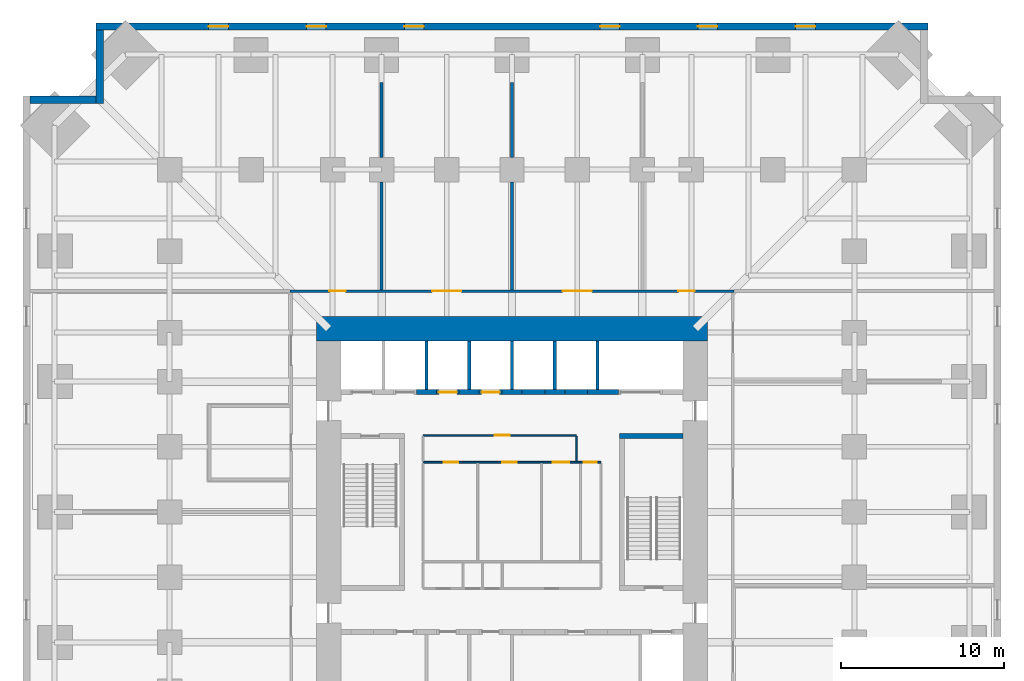
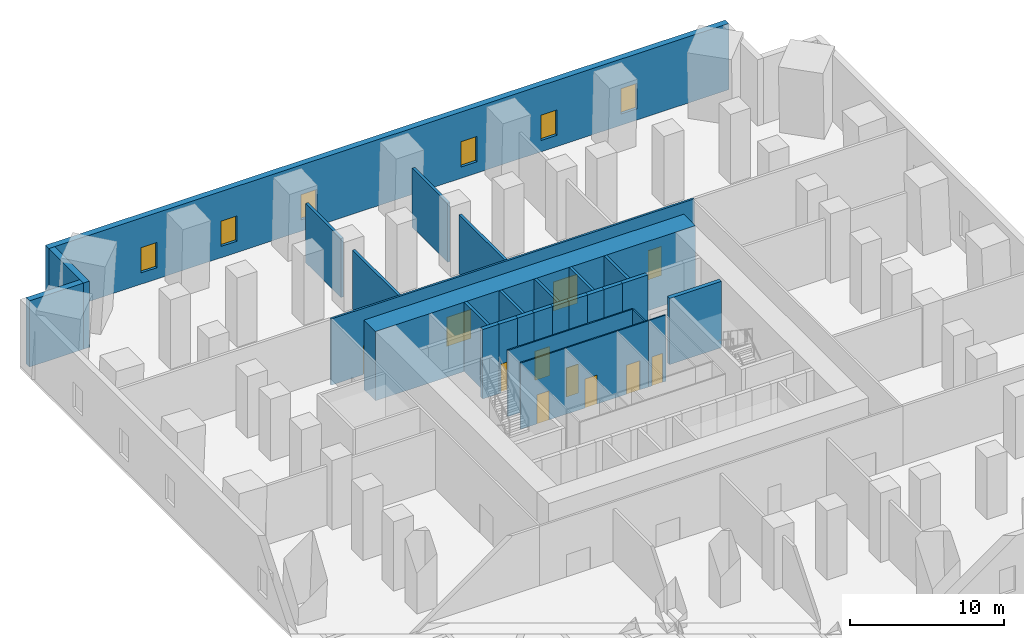
# One storey, part 6 of 8: 28 walls, 11 doors, 6 windows, 17 openings.
"""IFC4 building model written with IfcOpenShell, lengths in metres."""

from ifc_helpers import new_model, si_unit, direction, frame, frame_2d, origin, place, context, subcontext, project, spatial, rectangle, extrude, material, layer, layer_set, type_object, element, fill, save


model = new_model("IFC4")

# Units and contexts
model_context = context("Model", 3, precision=1e-05, world=origin(), true_north=direction((0.0, 1.0)))
body_context = subcontext(model_context, "Body", "Model", "MODEL_VIEW")
ifc_project = project(units=[si_unit("LENGTHUNIT", "METRE"), si_unit("AREAUNIT", "SQUARE_METRE"), si_unit("VOLUMEUNIT", "CUBIC_METRE"), si_unit("PLANEANGLEUNIT", "RADIAN"), si_unit("MASSUNIT", "GRAM", prefix="KILO")], contexts=[model_context])

# Site, building, storey
site_placement = place(None, origin())
site = spatial("IfcSite", under=ifc_project, at=site_placement, CompositionType="ELEMENT")
building_placement = place(site_placement, origin())
building = spatial("IfcBuilding", under=site, at=building_placement, Name="Peilmerk Tower", CompositionType="ELEMENT")
storey_placement = place(building_placement, frame((0.0, 0.0, 70.5)))
storey = spatial("IfcBuildingStorey", under=building, at=storey_placement, Name="L13", CompositionType="ELEMENT", Elevation=70.5)

# Wall, openings, windows
ifc_material_1 = material(Name="Precast concrete C45/55, board-marked finish", Category="concrete")
ifc_layer_1 = layer(ifc_material_1, 0.449951171875)
ifc_layer_set_1 = layer_set([ifc_layer_1], Name="Precast concrete C45/55, board-marked finish")
wall_type_1 = type_object("IfcWallType", Name="EW1 450 precast concrete facade wall, board-marked", PredefinedType="SOLIDWALL", material=ifc_layer_set_1)
wall_1_placement = place(storey_placement, frame((25.5, 29.77490234375, 0.0), z_axis=(0.0, 0.0, 1.0), x_axis=(-1.0, 0.0, 0.0)))
wall_1 = element("IfcWall", 1, at=wall_1_placement, inside=storey, type_object=wall_type_1, Name="Facade wall N L13", PredefinedType="SOLIDWALL", context=body_context, shape_type="SweptSolid", body=[
    extrude(rectangle(XDim=51.0, YDim=0.449951171875, at=frame_2d((25.5, 0.0))), origin(), (0.0, 0.0, 1.0), 5.25),
])
opening_1_placement = place(wall_1_placement, frame((6.89990234375, 0.0, 0.89990234375)))
opening_1 = element("IfcOpeningElement", 2, at=opening_1_placement, cuts=wall_1, Name="Opening W2", PredefinedType="OPENING", context=body_context, shape_type="SweptSolid", body=[
    extrude(rectangle(XDim=1.199951171875, YDim=2.0, at=frame_2d((0.60009765625, 1.0))), frame((0.0, 0.23486328125, 0.0), z_axis=(0.0, -1.0, 0.0), x_axis=(1.0, 0.0, 0.0)), (0.0, 0.0, 1.0), 0.469970703125),
])
opening_2_placement = place(wall_1_placement, frame((12.89990234375, 0.0, 0.89990234375)))
opening_2 = element("IfcOpeningElement", 3, at=opening_2_placement, cuts=wall_1, Name="Opening W2", PredefinedType="OPENING", context=body_context, shape_type="SweptSolid", body=[
    extrude(rectangle(XDim=1.199951171875, YDim=2.0, at=frame_2d((0.60009765625, 1.0))), frame((0.0, 0.23486328125, 0.0), z_axis=(0.0, -1.0, 0.0), x_axis=(1.0, 0.0, 0.0)), (0.0, 0.0, 1.0), 0.469970703125),
])
opening_3_placement = place(wall_1_placement, frame((18.89990234375, 0.0, 0.89990234375)))
opening_3 = element("IfcOpeningElement", 4, at=opening_3_placement, cuts=wall_1, Name="Opening W2", PredefinedType="OPENING", context=body_context, shape_type="SweptSolid", body=[
    extrude(rectangle(XDim=1.199951171875, YDim=2.0, at=frame_2d((0.60009765625, 1.0))), frame((0.0, 0.23486328125, 0.0), z_axis=(0.0, -1.0, 0.0), x_axis=(1.0, 0.0, 0.0)), (0.0, 0.0, 1.0), 0.469970703125),
])
opening_4_placement = place(wall_1_placement, frame((30.89990234375, 0.0, 0.89990234375)))
opening_4 = element("IfcOpeningElement", 5, at=opening_4_placement, cuts=wall_1, Name="Opening W2", PredefinedType="OPENING", context=body_context, shape_type="SweptSolid", body=[
    extrude(rectangle(XDim=1.199951171875, YDim=2.0, at=frame_2d((0.60009765625, 1.0))), frame((0.0, 0.23486328125, 0.0), z_axis=(0.0, -1.0, 0.0), x_axis=(1.0, 0.0, 0.0)), (0.0, 0.0, 1.0), 0.469970703125),
])
opening_5_placement = place(wall_1_placement, frame((36.89990234375, 0.0, 0.89990234375)))
opening_5 = element("IfcOpeningElement", 6, at=opening_5_placement, cuts=wall_1, Name="Opening W2", PredefinedType="OPENING", context=body_context, shape_type="SweptSolid", body=[
    extrude(rectangle(XDim=1.199951171875, YDim=2.0, at=frame_2d((0.60009765625, 1.0))), frame((0.0, 0.23486328125, 0.0), z_axis=(0.0, -1.0, 0.0), x_axis=(1.0, 0.0, 0.0)), (0.0, 0.0, 1.0), 0.469970703125),
])
opening_6_placement = place(wall_1_placement, frame((42.89990234375, 0.0, 0.89990234375)))
opening_6 = element("IfcOpeningElement", 7, at=opening_6_placement, cuts=wall_1, Name="Opening W2", PredefinedType="OPENING", context=body_context, shape_type="SweptSolid", body=[
    extrude(rectangle(XDim=1.199951171875, YDim=2.0, at=frame_2d((0.60009765625, 1.0))), frame((0.0, 0.23486328125, 0.0), z_axis=(0.0, -1.0, 0.0), x_axis=(1.0, 0.0, 0.0)), (0.0, 0.0, 1.0), 0.469970703125),
])
ifc_material_2 = material(Name="Aluminium frame, clear double glazing", Category="aluminium")
window_type = type_object("IfcWindowType", Name="W2 1200x2000 data hall slot window", PartitioningType="SINGLE_PANEL", PredefinedType="WINDOW", material=ifc_material_2)
window_1_placement = place(opening_1_placement, origin())
window_1 = element("IfcWindow", 8, at=window_1_placement, inside=storey, type_object=window_type, Name="Window W2 L13", OverallHeight=2.0, OverallWidth=1.199951171875, PartitioningType="SINGLE_PANEL", PredefinedType="WINDOW", context=body_context, shape_type="SweptSolid", body=[
    extrude(rectangle(XDim=1.199951171875, YDim=2.0, at=frame_2d((0.60009765625, 1.0))), frame((0.0, 0.030029296875, 0.0), z_axis=(0.0, -1.0, 0.0), x_axis=(1.0, 0.0, 0.0)), (0.0, 0.0, 1.0), 0.06005859375),
])
fill(opening_1, window_1)
window_2_placement = place(opening_2_placement, origin())
window_2 = element("IfcWindow", 9, at=window_2_placement, inside=storey, type_object=window_type, Name="Window W2 L13", OverallHeight=2.0, OverallWidth=1.199951171875, PartitioningType="SINGLE_PANEL", PredefinedType="WINDOW", context=body_context, shape_type="SweptSolid", body=[
    extrude(rectangle(XDim=1.199951171875, YDim=2.0, at=frame_2d((0.60009765625, 1.0))), frame((0.0, 0.030029296875, 0.0), z_axis=(0.0, -1.0, 0.0), x_axis=(1.0, 0.0, 0.0)), (0.0, 0.0, 1.0), 0.06005859375),
])
fill(opening_2, window_2)
window_3_placement = place(opening_3_placement, origin())
window_3 = element("IfcWindow", 10, at=window_3_placement, inside=storey, type_object=window_type, Name="Window W2 L13", OverallHeight=2.0, OverallWidth=1.199951171875, PartitioningType="SINGLE_PANEL", PredefinedType="WINDOW", context=body_context, shape_type="SweptSolid", body=[
    extrude(rectangle(XDim=1.199951171875, YDim=2.0, at=frame_2d((0.60009765625, 1.0))), frame((0.0, 0.030029296875, 0.0), z_axis=(0.0, -1.0, 0.0), x_axis=(1.0, 0.0, 0.0)), (0.0, 0.0, 1.0), 0.06005859375),
])
fill(opening_3, window_3)
window_4_placement = place(opening_4_placement, origin())
window_4 = element("IfcWindow", 11, at=window_4_placement, inside=storey, type_object=window_type, Name="Window W2 L13", OverallHeight=2.0, OverallWidth=1.199951171875, PartitioningType="SINGLE_PANEL", PredefinedType="WINDOW", context=body_context, shape_type="SweptSolid", body=[
    extrude(rectangle(XDim=1.199951171875, YDim=2.0, at=frame_2d((0.60009765625, 1.0))), frame((0.0, 0.030029296875, 0.0), z_axis=(0.0, -1.0, 0.0), x_axis=(1.0, 0.0, 0.0)), (0.0, 0.0, 1.0), 0.06005859375),
])
fill(opening_4, window_4)
window_5_placement = place(opening_5_placement, origin())
window_5 = element("IfcWindow", 12, at=window_5_placement, inside=storey, type_object=window_type, Name="Window W2 L13", OverallHeight=2.0, OverallWidth=1.199951171875, PartitioningType="SINGLE_PANEL", PredefinedType="WINDOW", context=body_context, shape_type="SweptSolid", body=[
    extrude(rectangle(XDim=1.199951171875, YDim=2.0, at=frame_2d((0.60009765625, 1.0))), frame((0.0, 0.030029296875, 0.0), z_axis=(0.0, -1.0, 0.0), x_axis=(1.0, 0.0, 0.0)), (0.0, 0.0, 1.0), 0.06005859375),
])
fill(opening_5, window_5)
window_6_placement = place(opening_6_placement, origin())
window_6 = element("IfcWindow", 13, at=window_6_placement, inside=storey, type_object=window_type, Name="Window W2 L13", OverallHeight=2.0, OverallWidth=1.199951171875, PartitioningType="SINGLE_PANEL", PredefinedType="WINDOW", context=body_context, shape_type="SweptSolid", body=[
    extrude(rectangle(XDim=1.199951171875, YDim=2.0, at=frame_2d((0.60009765625, 1.0))), frame((0.0, 0.030029296875, 0.0), z_axis=(0.0, -1.0, 0.0), x_axis=(1.0, 0.0, 0.0)), (0.0, 0.0, 1.0), 0.06005859375),
])
fill(opening_6, window_6)

# Walls
wall_2_placement = place(storey_placement, frame((-25.27490234375, 25.050048828125, 0.0), z_axis=(0.0, 0.0, 1.0), x_axis=(0.0, 1.0, 0.0)))
element("IfcWall", 14, at=wall_2_placement, inside=storey, type_object=wall_type_1, Name="Facade wall NWA L13", PredefinedType="SOLIDWALL", context=body_context, shape_type="SweptSolid", body=[
    extrude(rectangle(XDim=4.5, YDim=0.449951171875, at=frame_2d((2.25, 0.0))), origin(), (0.0, 0.0, 1.0), 5.25),
])
wall_3_placement = place(storey_placement, frame((-25.5, 25.27490234375, 0.0), z_axis=(0.0, 0.0, 1.0), x_axis=(-1.0, 0.0, 0.0)))
element("IfcWall", 15, at=wall_3_placement, inside=storey, type_object=wall_type_1, Name="Facade wall NWB L13", PredefinedType="SOLIDWALL", context=body_context, shape_type="SweptSolid", body=[
    extrude(rectangle(XDim=4.050048828125, YDim=0.449951171875, at=frame_2d((2.02490234375, 0.0))), origin(), (0.0, 0.0, 1.0), 5.25),
])

# Wall, openings, doors
ifc_material_3 = material(Name="Calcium silicate block", Category="masonry")
ifc_layer_2 = layer(ifc_material_3, 0.14990234375)
ifc_layer_set_2 = layer_set([ifc_layer_2], Name="Calcium silicate block")
wall_type_2 = type_object("IfcWallType", Name="IW1 150 corridor partition, EI 60", PredefinedType="PARTITIONING", material=ifc_layer_set_2)
wall_4_placement = place(storey_placement, frame((-13.625, 13.550048828125, 0.0), z_axis=(0.0, 0.0, 1.0), x_axis=(1.0, 0.0, 0.0)))
wall_4 = element("IfcWall", 16, at=wall_4_placement, inside=storey, type_object=wall_type_2, Name="Corridor wall N L13", PredefinedType="PARTITIONING", context=body_context, shape_type="SweptSolid", body=[
    extrude(rectangle(XDim=27.25, YDim=0.14990234375, at=frame_2d((13.625, 0.0))), origin(), (0.0, 0.0, 1.0), 5.25),
])
opening_7_placement = place(wall_4_placement, frame((2.425048828125, 0.0, 0.0)))
opening_7 = element("IfcOpeningElement", 17, at=opening_7_placement, cuts=wall_4, Name="Opening D1", PredefinedType="OPENING", context=body_context, shape_type="SweptSolid", body=[
    extrude(rectangle(XDim=1.0, YDim=2.300048828125, at=frame_2d((0.5, 1.14990234375))), frame((0.0, 0.0849609375, 0.0), z_axis=(0.0, -1.0, 0.0), x_axis=(1.0, 0.0, 0.0)), (0.0, 0.0, 1.0), 0.169921875),
])
opening_8_placement = place(wall_4_placement, frame((8.72509765625, 0.0, 0.0)))
opening_8 = element("IfcOpeningElement", 18, at=opening_8_placement, cuts=wall_4, Name="Opening D2", PredefinedType="OPENING", context=body_context, shape_type="SweptSolid", body=[
    extrude(rectangle(XDim=1.800048828125, YDim=2.300048828125, at=frame_2d((0.89990234375, 1.14990234375))), frame((0.0, 0.0849609375, 0.0), z_axis=(0.0, -1.0, 0.0), x_axis=(1.0, 0.0, 0.0)), (0.0, 0.0, 1.0), 0.169921875),
])
opening_9_placement = place(wall_4_placement, frame((16.72509765625, 0.0, 0.0)))
opening_9 = element("IfcOpeningElement", 19, at=opening_9_placement, cuts=wall_4, Name="Opening D2", PredefinedType="OPENING", context=body_context, shape_type="SweptSolid", body=[
    extrude(rectangle(XDim=1.800048828125, YDim=2.300048828125, at=frame_2d((0.89990234375, 1.14990234375))), frame((0.0, 0.0849609375, 0.0), z_axis=(0.0, -1.0, 0.0), x_axis=(1.0, 0.0, 0.0)), (0.0, 0.0, 1.0), 0.169921875),
])
opening_10_placement = place(wall_4_placement, frame((23.824951171875, 0.0, 0.0)))
opening_10 = element("IfcOpeningElement", 20, at=opening_10_placement, cuts=wall_4, Name="Opening D1", PredefinedType="OPENING", context=body_context, shape_type="SweptSolid", body=[
    extrude(rectangle(XDim=1.0, YDim=2.300048828125, at=frame_2d((0.5, 1.14990234375))), frame((0.0, 0.0849609375, 0.0), z_axis=(0.0, -1.0, 0.0), x_axis=(1.0, 0.0, 0.0)), (0.0, 0.0, 1.0), 0.169921875),
])
ifc_material_4 = material(Name="Timber door in steel frame", Category="steel")
door_type_1 = type_object("IfcDoorType", Name="D1 1000x2300 room door, EI2 30", OperationType="SINGLE_SWING_LEFT", PredefinedType="DOOR", material=ifc_material_4)
door_1_placement = place(opening_7_placement, origin())
door_1 = element("IfcDoor", 21, at=door_1_placement, inside=storey, type_object=door_type_1, Name="Door High-density computer room A L13", OperationType="SINGLE_SWING_LEFT", OverallHeight=2.300048828125, OverallWidth=1.0, PredefinedType="DOOR", context=body_context, shape_type="SweptSolid", body=[
    extrude(rectangle(XDim=1.0, YDim=2.300048828125, at=frame_2d((0.5, 1.14990234375))), frame((0.0, 0.02490234375, 0.0), z_axis=(0.0, -1.0, 0.0), x_axis=(1.0, 0.0, 0.0)), (0.0, 0.0, 1.0), 0.050048828125),
])
fill(opening_7, door_1)
door_2_placement = place(opening_10_placement, origin())
door_2 = element("IfcDoor", 22, at=door_2_placement, inside=storey, type_object=door_type_1, Name="Door High-density computer room B L13", OperationType="SINGLE_SWING_LEFT", OverallHeight=2.300048828125, OverallWidth=1.0, PredefinedType="DOOR", context=body_context, shape_type="SweptSolid", body=[
    extrude(rectangle(XDim=1.0, YDim=2.300048828125, at=frame_2d((0.5, 1.14990234375))), frame((0.0, 0.02490234375, 0.0), z_axis=(0.0, -1.0, 0.0), x_axis=(1.0, 0.0, 0.0)), (0.0, 0.0, 1.0), 0.050048828125),
])
fill(opening_10, door_2)
ifc_material_5 = material(Name="Steel door in steel frame", Category="steel")
door_type_2 = type_object("IfcDoorType", Name="D2 1800x2300 double door, EI2 60", OperationType="DOUBLE_DOOR_DOUBLE_SWING", PredefinedType="DOOR", material=ifc_material_5)
door_3_placement = place(opening_8_placement, origin())
door_3 = element("IfcDoor", 23, at=door_3_placement, inside=storey, type_object=door_type_2, Name="Door Coolant distribution room A L13", OperationType="DOUBLE_DOOR_DOUBLE_SWING", OverallHeight=2.300048828125, OverallWidth=1.800048828125, PredefinedType="DOOR", context=body_context, shape_type="SweptSolid", body=[
    extrude(rectangle(XDim=1.800048828125, YDim=2.300048828125, at=frame_2d((0.89990234375, 1.14990234375))), frame((0.0, 0.02490234375, 0.0), z_axis=(0.0, -1.0, 0.0), x_axis=(1.0, 0.0, 0.0)), (0.0, 0.0, 1.0), 0.050048828125),
])
fill(opening_8, door_3)
door_4_placement = place(opening_9_placement, origin())
door_4 = element("IfcDoor", 24, at=door_4_placement, inside=storey, type_object=door_type_2, Name="Door Coolant distribution room B L13", OperationType="DOUBLE_DOOR_DOUBLE_SWING", OverallHeight=2.300048828125, OverallWidth=1.800048828125, PredefinedType="DOOR", context=body_context, shape_type="SweptSolid", body=[
    extrude(rectangle(XDim=1.800048828125, YDim=2.300048828125, at=frame_2d((0.89990234375, 1.14990234375))), frame((0.0, 0.02490234375, 0.0), z_axis=(0.0, -1.0, 0.0), x_axis=(1.0, 0.0, 0.0)), (0.0, 0.0, 1.0), 0.050048828125),
])
fill(opening_9, door_4)

# Walls
ifc_layer_3 = layer(ifc_material_3, 0.199951171875)
ifc_layer_set_3 = layer_set([ifc_layer_3], Name="Calcium silicate block")
wall_type_3 = type_object("IfcWallType", Name="IW2 200 room separating wall, EI 120", PredefinedType="PARTITIONING", material=ifc_layer_set_3)
wall_5_placement = place(storey_placement, frame((-8.0, 13.625, 0.0), z_axis=(0.0, 0.0, 1.0), x_axis=(0.0, 1.0, 0.0)))
element("IfcWall", 25, at=wall_5_placement, inside=storey, type_object=wall_type_3, Name="Room separating wall N1 L13", PredefinedType="PARTITIONING", context=body_context, shape_type="SweptSolid", body=[
    extrude(rectangle(XDim=6.625, YDim=0.199951171875, at=frame_2d((3.3125, 0.0))), origin(), (0.0, 0.0, 1.0), 4.680908203125),
])
wall_6_placement = place(storey_placement, frame((-8.0, 21.75, 0.0), z_axis=(0.0, 0.0, 1.0), x_axis=(0.0, 1.0, 0.0)))
element("IfcWall", 26, at=wall_6_placement, inside=storey, type_object=wall_type_3, Name="Room separating wall N1b L13", PredefinedType="PARTITIONING", context=body_context, shape_type="SweptSolid", body=[
    extrude(rectangle(XDim=4.597412109375, YDim=0.199951171875, at=frame_2d((2.298828125, 0.0))), origin(), (0.0, 0.0, 1.0), 4.680908203125),
])
wall_7_placement = place(storey_placement, frame((0.0, 13.625, 0.0), z_axis=(0.0, 0.0, 1.0), x_axis=(0.0, 1.0, 0.0)))
element("IfcWall", 27, at=wall_7_placement, inside=storey, type_object=wall_type_3, Name="Room separating wall N2 L13", PredefinedType="PARTITIONING", context=body_context, shape_type="SweptSolid", body=[
    extrude(rectangle(XDim=6.625, YDim=0.199951171875, at=frame_2d((3.3125, 0.0))), origin(), (0.0, 0.0, 1.0), 4.680908203125),
])
wall_8_placement = place(storey_placement, frame((0.0, 21.75, 0.0), z_axis=(0.0, 0.0, 1.0), x_axis=(0.0, 1.0, 0.0)))
element("IfcWall", 28, at=wall_8_placement, inside=storey, type_object=wall_type_3, Name="Room separating wall N2b L13", PredefinedType="PARTITIONING", context=body_context, shape_type="SweptSolid", body=[
    extrude(rectangle(XDim=4.597412109375, YDim=0.199951171875, at=frame_2d((2.298828125, 0.0))), origin(), (0.0, 0.0, 1.0), 4.680908203125),
])
ifc_material_6 = material(Name="Concrete C35/45", Category="concrete")
ifc_layer_4 = layer(ifc_material_6, 0.300048828125)
ifc_layer_set_4 = layer_set([ifc_layer_4], Name="Concrete C35/45")
wall_type_4 = type_object("IfcWallType", Name="IW3 300 concrete stair enclosure wall, EI 120", PredefinedType="SOLIDWALL", material=ifc_layer_set_4)
wall_9_placement = place(storey_placement, frame((6.60009765625, 4.64990234375, 0.0), z_axis=(0.0, 0.0, 1.0), x_axis=(1.0, 0.0, 0.0)))
element("IfcWall", 29, at=wall_9_placement, inside=storey, type_object=wall_type_4, Name="Stair 2 enclosure L13", PredefinedType="SOLIDWALL", context=body_context, shape_type="SweptSolid", body=[
    extrude(rectangle(XDim=3.89990234375, YDim=0.300048828125, at=frame_2d((1.949951171875, 0.0))), origin(), (0.0, 0.0, 1.0), 5.25),
])

# Wall, openings, doors
ifc_material_7 = material(Name="Plasterboard on steel studs", Category="steel")
ifc_layer_5 = layer(ifc_material_7, 0.10009765625)
ifc_layer_set_5 = layer_set([ifc_layer_5], Name="Plasterboard on steel studs")
wall_type_5 = type_object("IfcWallType", Name="IW4 100 WC partition", PredefinedType="PARTITIONING", material=ifc_layer_set_5)
wall_10_placement = place(storey_placement, frame((-5.449951171875, 3.050048828125, 0.0), z_axis=(0.0, 0.0, 1.0), x_axis=(1.0, 0.0, 0.0)))
wall_10 = element("IfcWall", 30, at=wall_10_placement, inside=storey, type_object=wall_type_5, Name="WC wall L13", PredefinedType="PARTITIONING", context=body_context, shape_type="SweptSolid", body=[
    extrude(rectangle(XDim=9.599853515625, YDim=0.10009765625, at=frame_2d((4.7998046875, 0.0))), origin(), (0.0, 0.0, 1.0), 5.25),
])
opening_11_placement = place(wall_10_placement, frame((1.25, 0.0, 0.0)))
opening_11 = element("IfcOpeningElement", 31, at=opening_11_placement, cuts=wall_10, Name="Opening D5", PredefinedType="OPENING", context=body_context, shape_type="SweptSolid", body=[
    extrude(rectangle(XDim=0.89990234375, YDim=2.300048828125, at=frame_2d((0.449951171875, 1.14990234375))), frame((0.0, 0.06005859375, 0.0), z_axis=(0.0, -1.0, 0.0), x_axis=(1.0, 0.0, 0.0)), (0.0, 0.0, 1.0), 0.1201171875),
])
opening_12_placement = place(wall_10_placement, frame((4.85009765625, 0.0, 0.0)))
opening_12 = element("IfcOpeningElement", 32, at=opening_12_placement, cuts=wall_10, Name="Opening D5", PredefinedType="OPENING", context=body_context, shape_type="SweptSolid", body=[
    extrude(rectangle(XDim=0.89990234375, YDim=2.300048828125, at=frame_2d((0.449951171875, 1.14990234375))), frame((0.0, 0.06005859375, 0.0), z_axis=(0.0, -1.0, 0.0), x_axis=(1.0, 0.0, 0.0)), (0.0, 0.0, 1.0), 0.1201171875),
])
opening_13_placement = place(wall_10_placement, frame((7.949951171875, 0.0, 0.0)))
opening_13 = element("IfcOpeningElement", 33, at=opening_13_placement, cuts=wall_10, Name="Opening D6", PredefinedType="OPENING", context=body_context, shape_type="SweptSolid", body=[
    extrude(rectangle(XDim=1.0, YDim=2.300048828125, at=frame_2d((0.5, 1.14990234375))), frame((0.0, 0.06005859375, 0.0), z_axis=(0.0, -1.0, 0.0), x_axis=(1.0, 0.0, 0.0)), (0.0, 0.0, 1.0), 0.1201171875),
])
door_type_3 = type_object("IfcDoorType", Name="D5 900x2300 WC door", OperationType="SINGLE_SWING_LEFT", PredefinedType="DOOR", material=ifc_material_4)
door_5_placement = place(opening_11_placement, frame((0.89990234375, 0.0, 0.0), z_axis=(0.0, 0.0, 1.0), x_axis=(-1.0, 0.0, 0.0)))
door_5 = element("IfcDoor", 34, at=door_5_placement, inside=storey, type_object=door_type_3, Name="Female toilets door L13", OperationType="SINGLE_SWING_LEFT", OverallHeight=2.300048828125, OverallWidth=0.89990234375, PredefinedType="DOOR", context=body_context, shape_type="SweptSolid", body=[
    extrude(rectangle(XDim=0.89990234375, YDim=2.300048828125, at=frame_2d((0.449951171875, 1.14990234375))), frame((0.0, 0.02490234375, 0.0), z_axis=(0.0, -1.0, 0.0), x_axis=(1.0, 0.0, 0.0)), (0.0, 0.0, 1.0), 0.050048828125),
])
fill(opening_11, door_5)
door_6_placement = place(opening_12_placement, frame((0.89990234375, 0.0, 0.0), z_axis=(0.0, 0.0, 1.0), x_axis=(-1.0, 0.0, 0.0)))
door_6 = element("IfcDoor", 35, at=door_6_placement, inside=storey, type_object=door_type_3, Name="Male toilets door L13", OperationType="SINGLE_SWING_LEFT", OverallHeight=2.300048828125, OverallWidth=0.89990234375, PredefinedType="DOOR", context=body_context, shape_type="SweptSolid", body=[
    extrude(rectangle(XDim=0.89990234375, YDim=2.300048828125, at=frame_2d((0.449951171875, 1.14990234375))), frame((0.0, 0.02490234375, 0.0), z_axis=(0.0, -1.0, 0.0), x_axis=(1.0, 0.0, 0.0)), (0.0, 0.0, 1.0), 0.050048828125),
])
fill(opening_12, door_6)
door_type_4 = type_object("IfcDoorType", Name="D6 1000x2300 accessible WC door", OperationType="SLIDING_TO_LEFT", PredefinedType="DOOR", material=ifc_material_4)
door_7_placement = place(opening_13_placement, frame((1.0, 0.0, 0.0), z_axis=(0.0, 0.0, 1.0), x_axis=(-1.0, 0.0, 0.0)))
door_7 = element("IfcDoor", 36, at=door_7_placement, inside=storey, type_object=door_type_4, Name="Accessible WC door L13", OperationType="SLIDING_TO_LEFT", OverallHeight=2.300048828125, OverallWidth=1.0, PredefinedType="DOOR", context=body_context, shape_type="SweptSolid", body=[
    extrude(rectangle(XDim=1.0, YDim=2.300048828125, at=frame_2d((0.5, 1.14990234375))), frame((0.0, 0.02490234375, 0.0), z_axis=(0.0, -1.0, 0.0), x_axis=(1.0, 0.0, 0.0)), (0.0, 0.0, 1.0), 0.050048828125),
])
fill(opening_13, door_7)

# Wall, opening, door
ifc_material_8 = material(Name="Calcium silicate board on steel studs", Category="steel")
ifc_layer_6 = layer(ifc_material_8, 0.10009765625)
ifc_layer_set_6 = layer_set([ifc_layer_6], Name="Calcium silicate board on steel studs")
wall_type_6 = type_object("IfcWallType", Name="IW5 100 riser enclosure wall, EI 60", PredefinedType="PARTITIONING", material=ifc_layer_set_6)
wall_11_placement = place(storey_placement, frame((4.14990234375, 3.050048828125, 0.0), z_axis=(0.0, 0.0, 1.0), x_axis=(1.0, 0.0, 0.0)))
wall_11 = element("IfcWall", 37, at=wall_11_placement, inside=storey, type_object=wall_type_6, Name="Riser wall L13", PredefinedType="PARTITIONING", context=body_context, shape_type="SweptSolid", body=[
    extrude(rectangle(XDim=1.300048828125, YDim=0.10009765625, at=frame_2d((0.64990234375, 0.0))), origin(), (0.0, 0.0, 1.0), 5.25),
])
opening_14_placement = place(wall_11_placement, frame((0.25, 0.0, 0.0)))
opening_14 = element("IfcOpeningElement", 38, at=opening_14_placement, cuts=wall_11, Name="Opening D7", PredefinedType="OPENING", context=body_context, shape_type="SweptSolid", body=[
    extrude(rectangle(XDim=0.800048828125, YDim=2.300048828125, at=frame_2d((0.39990234375, 1.14990234375))), frame((0.0, 0.06005859375, 0.0), z_axis=(0.0, -1.0, 0.0), x_axis=(1.0, 0.0, 0.0)), (0.0, 0.0, 1.0), 0.1201171875),
])
door_type_5 = type_object("IfcDoorType", Name="D7 800x2300 riser access door, EI2 60", OperationType="SINGLE_SWING_RIGHT", PredefinedType="DOOR", material=ifc_material_5)
door_8_placement = place(opening_14_placement, frame((0.800048828125, 0.0, 0.0), z_axis=(0.0, 0.0, 1.0), x_axis=(-1.0, 0.0, 0.0)))
door_8 = element("IfcDoor", 39, at=door_8_placement, inside=storey, type_object=door_type_5, Name="Plumbing riser door L13", OperationType="SINGLE_SWING_RIGHT", OverallHeight=2.300048828125, OverallWidth=0.800048828125, PredefinedType="DOOR", context=body_context, shape_type="SweptSolid", body=[
    extrude(rectangle(XDim=0.800048828125, YDim=2.300048828125, at=frame_2d((0.39990234375, 1.14990234375))), frame((0.0, 0.02490234375, 0.0), z_axis=(0.0, -1.0, 0.0), x_axis=(1.0, 0.0, 0.0)), (0.0, 0.0, 1.0), 0.050048828125),
])
fill(opening_14, door_8)

ifc_material_9 = material(Name="Fire-resisting plasterboard on steel studs", Category="steel")
ifc_layer_7 = layer(ifc_material_9, 0.10009765625)
ifc_layer_set_7 = layer_set([ifc_layer_7], Name="Fire-resisting plasterboard on steel studs")
wall_type_7 = type_object("IfcWallType", Name="IW9 100 WC lobby wall, EI 30", PredefinedType="PARTITIONING", material=ifc_layer_set_7)
wall_12_placement = place(storey_placement, frame((-5.449951171875, 4.699951171875, 0.0), z_axis=(0.0, 0.0, 1.0), x_axis=(1.0, 0.0, 0.0)))
wall_12 = element("IfcWall", 40, at=wall_12_placement, inside=storey, type_object=wall_type_7, Name="WC lobby wall L13", PredefinedType="PARTITIONING", context=body_context, shape_type="SweptSolid", body=[
    extrude(rectangle(XDim=9.39990234375, YDim=0.10009765625, at=frame_2d((4.699951171875, 0.0))), origin(), (0.0, 0.0, 1.0), 5.25),
])
opening_15_placement = place(wall_12_placement, frame((4.39990234375, 0.0, 0.0)))
opening_15 = element("IfcOpeningElement", 41, at=opening_15_placement, cuts=wall_12, Name="Opening D11", PredefinedType="OPENING", context=body_context, shape_type="SweptSolid", body=[
    extrude(rectangle(XDim=0.89990234375, YDim=2.300048828125, at=frame_2d((0.449951171875, 1.14990234375))), frame((0.0, 0.06005859375, 0.0), z_axis=(0.0, -1.0, 0.0), x_axis=(1.0, 0.0, 0.0)), (0.0, 0.0, 1.0), 0.1201171875),
])
door_type_6 = type_object("IfcDoorType", Name="D11 900x2300 WC lobby door, EI2 30", OperationType="SINGLE_SWING_LEFT", PredefinedType="DOOR", material=ifc_material_4)
door_9_placement = place(opening_15_placement, frame((0.89990234375, 0.0, 0.0), z_axis=(0.0, 0.0, 1.0), x_axis=(-1.0, 0.0, 0.0)))
door_9 = element("IfcDoor", 42, at=door_9_placement, inside=storey, type_object=door_type_6, Name="WC lobby door L13", OperationType="SINGLE_SWING_LEFT", OverallHeight=2.300048828125, OverallWidth=0.89990234375, PredefinedType="DOOR", context=body_context, shape_type="SweptSolid", body=[
    extrude(rectangle(XDim=0.89990234375, YDim=2.300048828125, at=frame_2d((0.449951171875, 1.14990234375))), frame((0.0, 0.02490234375, 0.0), z_axis=(0.0, -1.0, 0.0), x_axis=(1.0, 0.0, 0.0)), (0.0, 0.0, 1.0), 0.050048828125),
])
fill(opening_15, door_9)

# Walls
wall_13_placement = place(storey_placement, frame((3.949951171875, 3.10009765625, 0.0), z_axis=(0.0, 0.0, 1.0), x_axis=(0.0, 1.0, 0.0)))
element("IfcWall", 43, at=wall_13_placement, inside=storey, type_object=wall_type_7, Name="WC lobby wall L13", PredefinedType="PARTITIONING", context=body_context, shape_type="SweptSolid", body=[
    extrude(rectangle(XDim=1.5498046875, YDim=0.10009765625, at=frame_2d((0.77490234375, 0.0))), origin(), (0.0, 0.0, 1.0), 5.25),
])
ifc_layer_8 = layer(ifc_material_3, 0.199951171875)
ifc_layer_set_8 = layer_set([ifc_layer_8], Name="Calcium silicate block")
wall_type_8 = type_object("IfcWallType", Name="SH1 200 shaft dividing wall, EI 120", PredefinedType="PARTITIONING", material=ifc_layer_set_8)
for number, where, z_axis, x_axis, name in (
    (44, (-5.25, 7.5, 0.0), (0.0, 0.0, 1.0), (0.0, 1.0, 0.0), "Shaft wall N A1 L13"),
    (45, (-2.625, 7.5, 0.0), (0.0, 0.0, 1.0), (0.0, 1.0, 0.0), "Shaft wall N A2 L13"),
    (46, (0.0, 7.5, 0.0), (0.0, 0.0, 1.0), (0.0, 1.0, 0.0), "Shaft wall N A3 L13"),
    (47, (2.625, 7.5, 0.0), (0.0, 0.0, 1.0), (0.0, 1.0, 0.0), "Shaft wall N S1 L13"),
    (48, (5.25, 7.5, 0.0), (0.0, 0.0, 1.0), (0.0, 1.0, 0.0), "Shaft wall N S2 L13"),
):
    element("IfcWall", number, at=place(storey_placement, frame(where, z_axis=z_axis, x_axis=x_axis)), inside=storey, type_object=wall_type_8, Name=name, PredefinedType="PARTITIONING", context=body_context, shape_type="SweptSolid", body=[
        extrude(rectangle(XDim=3.0, YDim=0.199951171875, at=frame_2d((1.5, 0.0))), origin(), (0.0, 0.0, 1.0), 5.5),
    ])

# Wall, opening, door
ifc_layer_9 = layer(ifc_material_3, 0.300048828125)
ifc_layer_set_9 = layer_set([ifc_layer_9], Name="Calcium silicate block")
wall_type_9 = type_object("IfcWallType", Name="SH2 300 lift landing door panel, EI 120", PredefinedType="PARTITIONING", material=ifc_layer_set_9)
wall_14_placement = place(storey_placement, frame((-4.637451171875, 7.35009765625, 0.0), z_axis=(0.0, 0.0, 1.0), x_axis=(1.0, 0.0, 0.0)))
wall_14 = element("IfcWall", 49, at=wall_14_placement, inside=storey, type_object=wall_type_9, Name="Lift door panel N A2 L13", PredefinedType="PARTITIONING", context=body_context, shape_type="SweptSolid", body=[
    extrude(rectangle(XDim=1.39990234375, YDim=0.300048828125, at=frame_2d((0.699951171875, 0.0))), origin(), (0.0, 0.0, 1.0), 5.5),
])
opening_16_placement = place(wall_14_placement, frame((0.14990234375, 0.0, 0.0)))
opening_16 = element("IfcOpeningElement", 50, at=opening_16_placement, cuts=wall_14, Name="Opening LD1", PredefinedType="OPENING", context=body_context, shape_type="SweptSolid", body=[
    extrude(rectangle(XDim=1.10009765625, YDim=2.300048828125, at=frame_2d((0.550048828125, 1.14990234375))), frame((0.0, 0.159912109375, 0.0), z_axis=(0.0, -1.0, 0.0), x_axis=(1.0, 0.0, 0.0)), (0.0, 0.0, 1.0), 0.320068359375),
])
ifc_material_10 = material(Name="Stainless steel landing door", Category="steel")
door_type_7 = type_object("IfcDoorType", Name="LD1 1100x2300 lift landing door, sliding, EI2 60", OperationType="SLIDING_TO_LEFT", PredefinedType="DOOR", material=ifc_material_10)
door_10_placement = place(opening_16_placement, frame((1.10009765625, 0.0, 0.0), z_axis=(0.0, 0.0, 1.0), x_axis=(-1.0, 0.0, 0.0)))
door_10 = element("IfcDoor", 51, at=door_10_placement, inside=storey, type_object=door_type_7, Name="Lift landing door A2 L13", OperationType="SLIDING_TO_LEFT", OverallHeight=2.300048828125, OverallWidth=1.10009765625, PredefinedType="DOOR", context=body_context, shape_type="SweptSolid", body=[
    extrude(rectangle(XDim=1.10009765625, YDim=2.300048828125, at=frame_2d((0.550048828125, 1.14990234375))), frame((0.0, 0.02490234375, 0.0), z_axis=(0.0, -1.0, 0.0), x_axis=(1.0, 0.0, 0.0)), (0.0, 0.0, 1.0), 0.050048828125),
])
fill(opening_16, door_10)

wall_15_placement = place(storey_placement, frame((-2.012451171875, 7.35009765625, 0.0), z_axis=(0.0, 0.0, 1.0), x_axis=(1.0, 0.0, 0.0)))
wall_15 = element("IfcWall", 52, at=wall_15_placement, inside=storey, type_object=wall_type_9, Name="Lift door panel N A3 L13", PredefinedType="PARTITIONING", context=body_context, shape_type="SweptSolid", body=[
    extrude(rectangle(XDim=1.39990234375, YDim=0.300048828125, at=frame_2d((0.699951171875, 0.0))), origin(), (0.0, 0.0, 1.0), 5.5),
])
opening_17_placement = place(wall_15_placement, frame((0.14990234375, 0.0, 0.0)))
opening_17 = element("IfcOpeningElement", 53, at=opening_17_placement, cuts=wall_15, Name="Opening LD1", PredefinedType="OPENING", context=body_context, shape_type="SweptSolid", body=[
    extrude(rectangle(XDim=1.10009765625, YDim=2.300048828125, at=frame_2d((0.550048828125, 1.14990234375))), frame((0.0, 0.159912109375, 0.0), z_axis=(0.0, -1.0, 0.0), x_axis=(1.0, 0.0, 0.0)), (0.0, 0.0, 1.0), 0.320068359375),
])
door_11_placement = place(opening_17_placement, frame((1.10009765625, 0.0, 0.0), z_axis=(0.0, 0.0, 1.0), x_axis=(-1.0, 0.0, 0.0)))
door_11 = element("IfcDoor", 54, at=door_11_placement, inside=storey, type_object=door_type_7, Name="Lift landing door A3 L13", OperationType="SLIDING_TO_LEFT", OverallHeight=2.300048828125, OverallWidth=1.10009765625, PredefinedType="DOOR", context=body_context, shape_type="SweptSolid", body=[
    extrude(rectangle(XDim=1.10009765625, YDim=2.300048828125, at=frame_2d((0.550048828125, 1.14990234375))), frame((0.0, 0.02490234375, 0.0), z_axis=(0.0, -1.0, 0.0), x_axis=(1.0, 0.0, 0.0)), (0.0, 0.0, 1.0), 0.050048828125),
])
fill(opening_17, door_11)

# Walls
for number, where, z_axis, x_axis, name in (
    (55, (0.612548828125, 7.35009765625, 0.0), (0.0, 0.0, 1.0), (1.0, 0.0, 0.0), "Lift door panel N S1 L13"),
    (56, (3.237548828125, 7.35009765625, 0.0), (0.0, 0.0, 1.0), (1.0, 0.0, 0.0), "Lift door panel N S2 L13"),
):
    element("IfcWall", number, at=place(storey_placement, frame(where, z_axis=z_axis, x_axis=x_axis)), inside=storey, type_object=wall_type_9, Name=name, PredefinedType="PARTITIONING", context=body_context, shape_type="SweptSolid", body=[
        extrude(rectangle(XDim=1.39990234375, YDim=0.300048828125, at=frame_2d((0.699951171875, 0.0))), origin(), (0.0, 0.0, 1.0), 5.5),
    ])
ifc_material_11 = material(Name="Concrete C55/67", Category="concrete")
ifc_layer_10 = layer(ifc_material_11, 1.5)
ifc_layer_set_10 = layer_set([ifc_layer_10], Name="Concrete C55/67")
wall_type_10 = type_object("IfcWallType", Name="SW1 1500 core wall", PredefinedType="SHEAR", material=ifc_layer_set_10)
wall_16_placement = place(storey_placement, frame((-12.0, 11.25, 0.0), z_axis=(0.0, 0.0, 1.0), x_axis=(1.0, 0.0, 0.0)))
element("IfcWall", 57, at=wall_16_placement, inside=storey, type_object=wall_type_10, Name="Core wall N L13", PredefinedType="SHEAR", context=body_context, shape_type="SweptSolid", body=[
    extrude(rectangle(XDim=24.0, YDim=1.5, at=frame_2d((12.0, 0.0))), origin(), (0.0, 0.0, 1.0), 5.5),
])
ifc_layer_11 = layer(ifc_material_11, 0.300048828125)
ifc_layer_set_11 = layer_set([ifc_layer_11], Name="Concrete C55/67")
wall_type_11 = type_object("IfcWallType", Name="SW2 300 lift bank pier", PredefinedType="SHEAR", material=ifc_layer_set_11)
for number, where, z_axis, x_axis, name in (
    (58, (-5.862548828125, 7.35009765625, 0.0), (0.0, 0.0, 1.0), (1.0, 0.0, 0.0), "Lift bank pier N L13"),
    (59, (-3.237548828125, 7.35009765625, 0.0), (0.0, 0.0, 1.0), (1.0, 0.0, 0.0), "Lift bank pier N L13"),
    (60, (-0.612548828125, 7.35009765625, 0.0), (0.0, 0.0, 1.0), (1.0, 0.0, 0.0), "Lift bank pier N L13"),
    (61, (2.012451171875, 7.35009765625, 0.0), (0.0, 0.0, 1.0), (1.0, 0.0, 0.0), "Lift bank pier N L13"),
):
    element("IfcWall", number, at=place(storey_placement, frame(where, z_axis=z_axis, x_axis=x_axis)), inside=storey, type_object=wall_type_11, Name=name, PredefinedType="SHEAR", context=body_context, shape_type="SweptSolid", body=[
        extrude(rectangle(XDim=1.22509765625, YDim=0.300048828125, at=frame_2d((0.612548828125, 0.0))), origin(), (0.0, 0.0, 1.0), 5.5),
    ])
wall_17_placement = place(storey_placement, frame((4.637451171875, 7.35009765625, 0.0), z_axis=(0.0, 0.0, 1.0), x_axis=(1.0, 0.0, 0.0)))
element("IfcWall", 62, at=wall_17_placement, inside=storey, type_object=wall_type_11, Name="Lift bank pier N L13", PredefinedType="SHEAR", context=body_context, shape_type="SweptSolid", body=[
    extrude(rectangle(XDim=1.887451171875, YDim=0.300048828125, at=frame_2d((0.94384765625, 0.0))), origin(), (0.0, 0.0, 1.0), 5.5),
])

save(model, "model.ifc")
